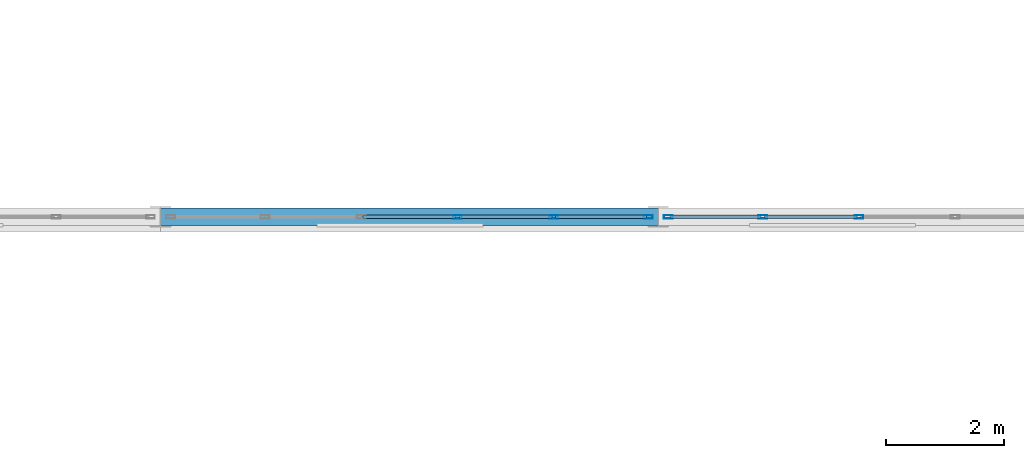
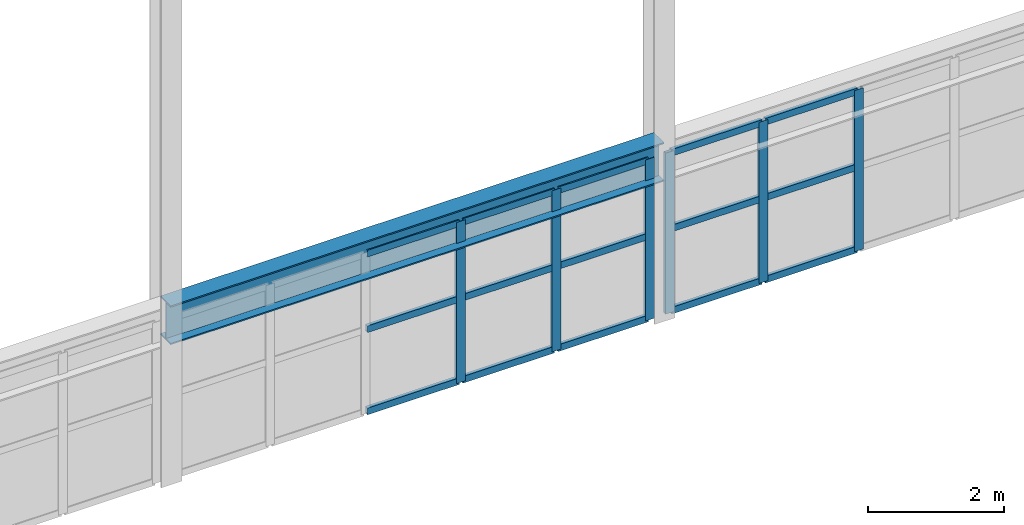
# One storey, part 86 of 218: 21 members, 1 beam, 2 elements without a shape of their own.
"""IFC4 building model written with IfcOpenShell, lengths in metres."""

from ifc_helpers import new_model, si_unit, direction, frame, origin, origin_2d, place, context, subcontext, project, spatial, hollow_rectangle, i_section, extrude, material, material_profile, profile_set, type_object, element, aggregate, save


model = new_model("IFC4")

# Units and contexts
model_context = context("Model", 3, precision=1e-05, world=origin(), true_north=direction((0.0, 1.0)))
body_context = subcontext(model_context, "Body", "Model", "MODEL_VIEW")
ifc_project = project(units=[si_unit("LENGTHUNIT", "METRE"), si_unit("AREAUNIT", "SQUARE_METRE"), si_unit("VOLUMEUNIT", "CUBIC_METRE"), si_unit("PLANEANGLEUNIT", "RADIAN"), si_unit("MASSUNIT", "GRAM", prefix="KILO")], contexts=[model_context])

# Site, building, storey
site_placement = place(None, origin())
site = spatial("IfcSite", under=ifc_project, at=site_placement, CompositionType="ELEMENT")
building_placement = place(site_placement, origin())
building = spatial("IfcBuilding", under=site, at=building_placement, Name="Kazenagashi Tramway Depot", CompositionType="ELEMENT")
storey_placement = place(building_placement, frame((0.0, 0.0, 6.0)))
storey = spatial("IfcBuildingStorey", under=building, at=storey_placement, Name="L02", CompositionType="ELEMENT", Elevation=6.0)

# Beam
ifc_material_1 = material(Name="Steel SN490B", Category="steel")
ifc_material_profile_1 = material_profile(ifc_material_1, i_section(OverallWidth=0.3, OverallDepth=0.7, WebThickness=0.013, FlangeThickness=0.024, at=origin_2d()), Name="H-700x300x13x24")
ifc_profile_set_1 = profile_set([ifc_material_profile_1], Name="Steel SN490B")
beam_type = type_object("IfcBeamType", Name="G-02", PredefinedType="BEAM", material=ifc_profile_set_1)
beam_placement = place(storey_placement, frame((112.0, 54.9, 2.85), z_axis=(1.0, 0.0, 0.0), x_axis=(0.0, 1.0, 0.0)))
element("IfcBeam", 1, at=beam_placement, inside=storey, type_object=beam_type, Name="Beam G-02 BM-1181", PredefinedType="BEAM", context=body_context, shape_type="SweptSolid", body=[
    extrude(i_section(OverallWidth=0.3, OverallDepth=0.7, WebThickness=0.013, FlangeThickness=0.024, at=origin_2d()), origin(), (0.0, 0.0, 1.0), 8.4),
])

# Curtain wall, members
ifc_material_2 = material(Name="Anodised Aluminium and Low-E Glazing", Category="aluminium")
curtain_wall_type = type_object("IfcCurtainWallType", Name="CW-21", PredefinedType="USERDEFINED", material=ifc_material_2)
curtain_wall_1_placement = place(storey_placement, origin())
curtain_wall_1 = element("IfcCurtainWall", 2, at=curtain_wall_1_placement, inside=storey, type_object=curtain_wall_type, Name="Industrial Glazed Screen CW-21 CW-0115", ObjectType="GLAZED SCREEN", PredefinedType="USERDEFINED")
ifc_material_3 = material(Name="Anodised Aluminium", Category="aluminium")
ifc_material_profile_2 = material_profile(ifc_material_3, hollow_rectangle(XDim=0.06, YDim=0.15, WallThickness=0.004, at=origin_2d()), Name="RHS-150x60x4")
ifc_profile_set_2 = profile_set([ifc_material_profile_2], Name="Anodised Aluminium")
member_type_1 = type_object("IfcMemberType", Name="ML-01", PredefinedType="MULLION", material=ifc_profile_set_2)
member_1_placement = place(storey_placement, frame((117.012, 54.9, 0.0), z_axis=(0.0, 0.0, 1.0), x_axis=(0.0, 1.0, 0.0)))
member_1 = element("IfcMember", 3, at=member_1_placement, type_object=member_type_1, Name="CW-21 mullion 4", PredefinedType="MULLION", context=body_context, shape_type="SweptSolid", body=[
    extrude(hollow_rectangle(XDim=0.06, YDim=0.15, WallThickness=0.004, at=origin_2d()), origin(), (0.0, 0.0, 1.0), 2.9),
])
member_2_placement = place(storey_placement, frame((118.636, 54.9, 0.0), z_axis=(0.0, 0.0, 1.0), x_axis=(0.0, 1.0, 0.0)))
member_2 = element("IfcMember", 4, at=member_2_placement, type_object=member_type_1, Name="CW-21 mullion 5", PredefinedType="MULLION", context=body_context, shape_type="SweptSolid", body=[
    extrude(hollow_rectangle(XDim=0.06, YDim=0.15, WallThickness=0.004, at=origin_2d()), origin(), (0.0, 0.0, 1.0), 2.9),
])
member_3_placement = place(storey_placement, frame((120.23, 54.9, 0.0), z_axis=(0.0, 0.0, 1.0), x_axis=(0.0, 1.0, 0.0)))
member_3 = element("IfcMember", 5, at=member_3_placement, type_object=member_type_1, Name="CW-21 mullion 6", PredefinedType="MULLION", context=body_context, shape_type="SweptSolid", body=[
    extrude(hollow_rectangle(XDim=0.06, YDim=0.15, WallThickness=0.004, at=origin_2d()), origin(), (0.0, 0.0, 1.0), 2.9),
])

curtain_wall_2_placement = place(storey_placement, origin())
curtain_wall_2 = element("IfcCurtainWall", 6, at=curtain_wall_2_placement, inside=storey, type_object=curtain_wall_type, Name="Industrial Glazed Screen CW-21 CW-0116", ObjectType="GLAZED SCREEN", PredefinedType="USERDEFINED")
member_4_placement = place(storey_placement, frame((120.57, 54.9, 0.0), z_axis=(0.0, 0.0, 1.0), x_axis=(0.0, 1.0, 0.0)))
member_4 = element("IfcMember", 7, at=member_4_placement, type_object=member_type_1, Name="CW-21 mullion 1", PredefinedType="MULLION", context=body_context, shape_type="SweptSolid", body=[
    extrude(hollow_rectangle(XDim=0.06, YDim=0.15, WallThickness=0.004, at=origin_2d()), origin(), (0.0, 0.0, 1.0), 2.9),
])
member_5_placement = place(storey_placement, frame((122.164, 54.9, 0.0), z_axis=(0.0, 0.0, 1.0), x_axis=(0.0, 1.0, 0.0)))
member_5 = element("IfcMember", 8, at=member_5_placement, type_object=member_type_1, Name="CW-21 mullion 2", PredefinedType="MULLION", context=body_context, shape_type="SweptSolid", body=[
    extrude(hollow_rectangle(XDim=0.06, YDim=0.15, WallThickness=0.004, at=origin_2d()), origin(), (0.0, 0.0, 1.0), 2.9),
])
member_6_placement = place(storey_placement, frame((123.788, 54.9, 0.0), z_axis=(0.0, 0.0, 1.0), x_axis=(0.0, 1.0, 0.0)))
member_6 = element("IfcMember", 9, at=member_6_placement, type_object=member_type_1, Name="CW-21 mullion 3", PredefinedType="MULLION", context=body_context, shape_type="SweptSolid", body=[
    extrude(hollow_rectangle(XDim=0.06, YDim=0.15, WallThickness=0.004, at=origin_2d()), origin(), (0.0, 0.0, 1.0), 2.9),
])

# Member
ifc_material_profile_3 = material_profile(ifc_material_3, hollow_rectangle(XDim=0.06, YDim=0.12, WallThickness=0.004, at=origin_2d()), Name="RHS-120x60x4")
ifc_profile_set_3 = profile_set([ifc_material_profile_3], Name="Anodised Aluminium")
member_type_2 = type_object("IfcMemberType", Name="TR-01", PredefinedType="USERDEFINED", material=ifc_profile_set_3)
member_7_placement = place(storey_placement, frame((115.418, 54.9, 0.03), z_axis=(1.0, 0.0, 0.0), x_axis=(0.0, 1.0, 0.0)))
member_7 = element("IfcMember", 10, at=member_7_placement, type_object=member_type_2, Name="CW-21 transom 3.1", ObjectType="TRANSOM", PredefinedType="USERDEFINED", context=body_context, shape_type="SweptSolid", body=[
    extrude(hollow_rectangle(XDim=0.06, YDim=0.12, WallThickness=0.004, at=origin_2d()), origin(), (0.0, 0.0, 1.0), 1.564),
])

member_8_placement = place(storey_placement, frame((115.418, 54.9, 1.508), z_axis=(1.0, 0.0, 0.0), x_axis=(0.0, 1.0, 0.0)))
member_8 = element("IfcMember", 11, at=member_8_placement, type_object=member_type_2, Name="CW-21 transom 3.2", ObjectType="TRANSOM", PredefinedType="USERDEFINED", context=body_context, shape_type="SweptSolid", body=[
    extrude(hollow_rectangle(XDim=0.06, YDim=0.12, WallThickness=0.004, at=origin_2d()), origin(), (0.0, 0.0, 1.0), 1.564),
])

member_9_placement = place(storey_placement, frame((115.418, 54.9, 2.87), z_axis=(1.0, 0.0, 0.0), x_axis=(0.0, 1.0, 0.0)))
member_9 = element("IfcMember", 12, at=member_9_placement, type_object=member_type_2, Name="CW-21 transom 3.3", ObjectType="TRANSOM", PredefinedType="USERDEFINED", context=body_context, shape_type="SweptSolid", body=[
    extrude(hollow_rectangle(XDim=0.06, YDim=0.12, WallThickness=0.004, at=origin_2d()), origin(), (0.0, 0.0, 1.0), 1.564),
])

member_10_placement = place(storey_placement, frame((117.042, 54.9, 0.03), z_axis=(1.0, 0.0, 0.0), x_axis=(0.0, 1.0, 0.0)))
member_10 = element("IfcMember", 13, at=member_10_placement, type_object=member_type_2, Name="CW-21 transom 4.1", ObjectType="TRANSOM", PredefinedType="USERDEFINED", context=body_context, shape_type="SweptSolid", body=[
    extrude(hollow_rectangle(XDim=0.06, YDim=0.12, WallThickness=0.004, at=origin_2d()), origin(), (0.0, 0.0, 1.0), 1.564),
])

member_11_placement = place(storey_placement, frame((117.042, 54.9, 1.508), z_axis=(1.0, 0.0, 0.0), x_axis=(0.0, 1.0, 0.0)))
member_11 = element("IfcMember", 14, at=member_11_placement, type_object=member_type_2, Name="CW-21 transom 4.2", ObjectType="TRANSOM", PredefinedType="USERDEFINED", context=body_context, shape_type="SweptSolid", body=[
    extrude(hollow_rectangle(XDim=0.06, YDim=0.12, WallThickness=0.004, at=origin_2d()), origin(), (0.0, 0.0, 1.0), 1.564),
])

member_12_placement = place(storey_placement, frame((117.042, 54.9, 2.87), z_axis=(1.0, 0.0, 0.0), x_axis=(0.0, 1.0, 0.0)))
member_12 = element("IfcMember", 15, at=member_12_placement, type_object=member_type_2, Name="CW-21 transom 4.3", ObjectType="TRANSOM", PredefinedType="USERDEFINED", context=body_context, shape_type="SweptSolid", body=[
    extrude(hollow_rectangle(XDim=0.06, YDim=0.12, WallThickness=0.004, at=origin_2d()), origin(), (0.0, 0.0, 1.0), 1.564),
])

member_13_placement = place(storey_placement, frame((118.666, 54.9, 0.03), z_axis=(1.0, 0.0, 0.0), x_axis=(0.0, 1.0, 0.0)))
member_13 = element("IfcMember", 16, at=member_13_placement, type_object=member_type_2, Name="CW-21 transom 5.1", ObjectType="TRANSOM", PredefinedType="USERDEFINED", context=body_context, shape_type="SweptSolid", body=[
    extrude(hollow_rectangle(XDim=0.06, YDim=0.12, WallThickness=0.004, at=origin_2d()), origin(), (0.0, 0.0, 1.0), 1.534),
])

member_14_placement = place(storey_placement, frame((118.666, 54.9, 1.508), z_axis=(1.0, 0.0, 0.0), x_axis=(0.0, 1.0, 0.0)))
member_14 = element("IfcMember", 17, at=member_14_placement, type_object=member_type_2, Name="CW-21 transom 5.2", ObjectType="TRANSOM", PredefinedType="USERDEFINED", context=body_context, shape_type="SweptSolid", body=[
    extrude(hollow_rectangle(XDim=0.06, YDim=0.12, WallThickness=0.004, at=origin_2d()), origin(), (0.0, 0.0, 1.0), 1.534),
])

member_15_placement = place(storey_placement, frame((118.666, 54.9, 2.87), z_axis=(1.0, 0.0, 0.0), x_axis=(0.0, 1.0, 0.0)))
member_15 = element("IfcMember", 18, at=member_15_placement, type_object=member_type_2, Name="CW-21 transom 5.3", ObjectType="TRANSOM", PredefinedType="USERDEFINED", context=body_context, shape_type="SweptSolid", body=[
    extrude(hollow_rectangle(XDim=0.06, YDim=0.12, WallThickness=0.004, at=origin_2d()), origin(), (0.0, 0.0, 1.0), 1.534),
])

aggregate(curtain_wall_1, [member_1, member_2, member_3, member_7, member_8, member_9, member_10, member_11, member_12, member_13, member_14, member_15])

member_16_placement = place(storey_placement, frame((120.6, 54.9, 0.03), z_axis=(1.0, 0.0, 0.0), x_axis=(0.0, 1.0, 0.0)))
member_16 = element("IfcMember", 19, at=member_16_placement, type_object=member_type_2, Name="CW-21 transom 1.1", ObjectType="TRANSOM", PredefinedType="USERDEFINED", context=body_context, shape_type="SweptSolid", body=[
    extrude(hollow_rectangle(XDim=0.06, YDim=0.12, WallThickness=0.004, at=origin_2d()), origin(), (0.0, 0.0, 1.0), 1.534),
])

member_17_placement = place(storey_placement, frame((120.6, 54.9, 1.508), z_axis=(1.0, 0.0, 0.0), x_axis=(0.0, 1.0, 0.0)))
member_17 = element("IfcMember", 20, at=member_17_placement, type_object=member_type_2, Name="CW-21 transom 1.2", ObjectType="TRANSOM", PredefinedType="USERDEFINED", context=body_context, shape_type="SweptSolid", body=[
    extrude(hollow_rectangle(XDim=0.06, YDim=0.12, WallThickness=0.004, at=origin_2d()), origin(), (0.0, 0.0, 1.0), 1.534),
])

member_18_placement = place(storey_placement, frame((120.6, 54.9, 2.87), z_axis=(1.0, 0.0, 0.0), x_axis=(0.0, 1.0, 0.0)))
member_18 = element("IfcMember", 21, at=member_18_placement, type_object=member_type_2, Name="CW-21 transom 1.3", ObjectType="TRANSOM", PredefinedType="USERDEFINED", context=body_context, shape_type="SweptSolid", body=[
    extrude(hollow_rectangle(XDim=0.06, YDim=0.12, WallThickness=0.004, at=origin_2d()), origin(), (0.0, 0.0, 1.0), 1.534),
])

member_19_placement = place(storey_placement, frame((122.194, 54.9, 0.03), z_axis=(1.0, 0.0, 0.0), x_axis=(0.0, 1.0, 0.0)))
member_19 = element("IfcMember", 22, at=member_19_placement, type_object=member_type_2, Name="CW-21 transom 2.1", ObjectType="TRANSOM", PredefinedType="USERDEFINED", context=body_context, shape_type="SweptSolid", body=[
    extrude(hollow_rectangle(XDim=0.06, YDim=0.12, WallThickness=0.004, at=origin_2d()), origin(), (0.0, 0.0, 1.0), 1.564),
])

member_20_placement = place(storey_placement, frame((122.194, 54.9, 1.508), z_axis=(1.0, 0.0, 0.0), x_axis=(0.0, 1.0, 0.0)))
member_20 = element("IfcMember", 23, at=member_20_placement, type_object=member_type_2, Name="CW-21 transom 2.2", ObjectType="TRANSOM", PredefinedType="USERDEFINED", context=body_context, shape_type="SweptSolid", body=[
    extrude(hollow_rectangle(XDim=0.06, YDim=0.12, WallThickness=0.004, at=origin_2d()), origin(), (0.0, 0.0, 1.0), 1.564),
])

member_21_placement = place(storey_placement, frame((122.194, 54.9, 2.87), z_axis=(1.0, 0.0, 0.0), x_axis=(0.0, 1.0, 0.0)))
member_21 = element("IfcMember", 24, at=member_21_placement, type_object=member_type_2, Name="CW-21 transom 2.3", ObjectType="TRANSOM", PredefinedType="USERDEFINED", context=body_context, shape_type="SweptSolid", body=[
    extrude(hollow_rectangle(XDim=0.06, YDim=0.12, WallThickness=0.004, at=origin_2d()), origin(), (0.0, 0.0, 1.0), 1.564),
])

aggregate(curtain_wall_2, [member_4, member_5, member_6, member_16, member_17, member_18, member_19, member_20, member_21])

save(model, "model.ifc")
